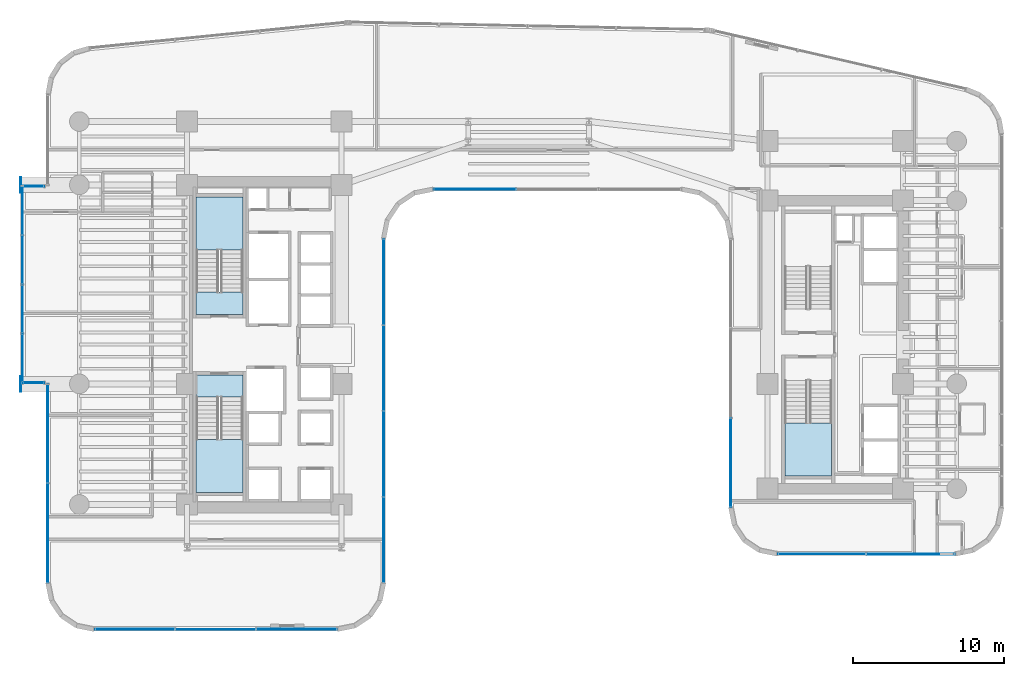
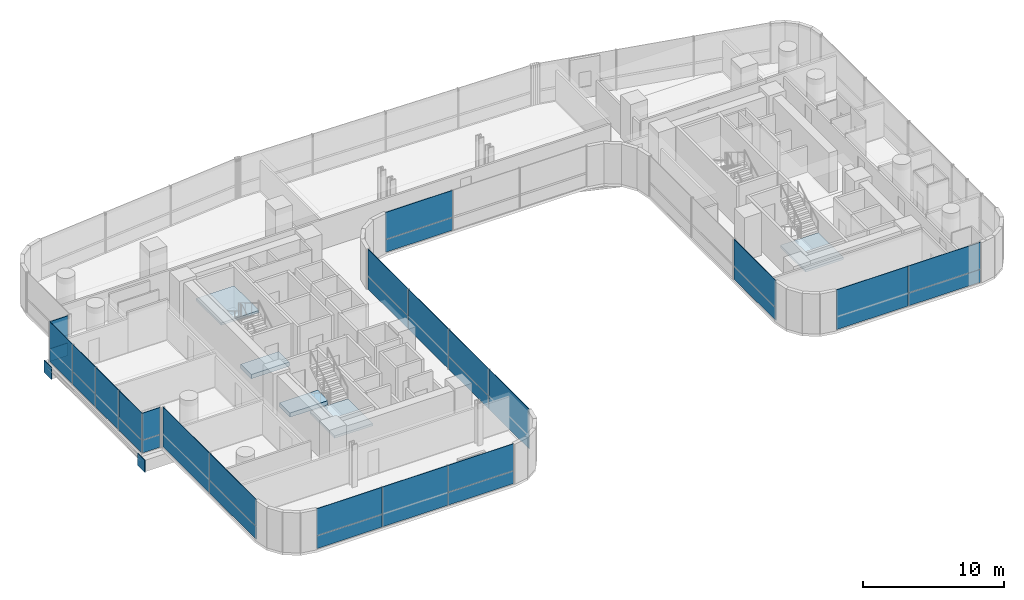
# One storey, part 27 of 39: 33 plates, 5 slabs, 12 elements without a shape of their own.
"""IFC4 building model written with IfcOpenShell, lengths in metres."""

from ifc_helpers import new_model, si_unit, direction, frame, origin, origin_2d, place, context, subcontext, project, spatial, polyline, rectangle, outline, extrude, source, transform, mapped, material, layer, layer_set, type_object, element, aggregate, save


model = new_model("IFC4")

# Units and contexts
model_context = context("Model", 3, precision=1e-05, world=origin(), true_north=direction((0.0, 1.0)))
body_context = subcontext(model_context, "Body", "Model", "MODEL_VIEW")
ifc_project = project(units=[si_unit("LENGTHUNIT", "METRE"), si_unit("AREAUNIT", "SQUARE_METRE"), si_unit("VOLUMEUNIT", "CUBIC_METRE"), si_unit("PLANEANGLEUNIT", "RADIAN"), si_unit("MASSUNIT", "GRAM", prefix="KILO")], contexts=[model_context])

# Site, building, storey
site_placement = place(None, origin())
site = spatial("IfcSite", under=ifc_project, at=site_placement, CompositionType="ELEMENT")
building_placement = place(site_placement, origin())
building = spatial("IfcBuilding", under=site, at=building_placement, Name="Valdorenza Pilgrim Sanctuary Tower", CompositionType="ELEMENT")
storey_placement = place(building_placement, frame((0.0, 0.0, 74.10009765625)))
storey = spatial("IfcBuildingStorey", under=building, at=storey_placement, Name="L18", CompositionType="ELEMENT", Elevation=74.10009765625)

# Stair, slab
ifc_material_1 = material(Name="Concrete C40/50", Category="concrete")
stair_type = type_object("IfcStairType", Name="STR-DOG-CORE", PredefinedType="HALF_TURN_STAIR", material=ifc_material_1)
stair_1_placement = place(storey_placement, origin())
stair_1 = element("IfcStair", 1, at=stair_1_placement, inside=storey, type_object=stair_type, Name="L18 ST-A1", PredefinedType="HALF_TURN_STAIR")
ifc_layer_1 = layer(ifc_material_1, 0.199951171875, Name="Concrete C40/50")
ifc_layer_set_1 = layer_set([ifc_layer_1], Name="Concrete C40/50")
slab_type_1 = type_object("IfcSlabType", Name="SLAB-STL-200", PredefinedType="LANDING", material=ifc_layer_set_1)
slab_1_placement = place(storey_placement, frame((0.0, 0.0, 1.64990234375)))
slab_1 = element("IfcSlab", 2, at=slab_1_placement, type_object=slab_type_1, Name="ST-A1 landing 1", PredefinedType="LANDING", context=body_context, shape_type="SweptSolid", body=[
    extrude(outline(polyline([(-18.93994140625, 6.280029296875), (-18.93994140625, 9.800048828125), (-22.050048828125, 9.800048828125), (-22.050048828125, 6.280029296875), (-18.93994140625, 6.280029296875)])), origin(), (0.0, 0.0, 1.0), 0.199951171875),
])
aggregate(stair_1, [slab_1])

stair_2_placement = place(storey_placement, origin())
stair_2 = element("IfcStair", 3, at=stair_2_placement, inside=storey, type_object=stair_type, Name="L18 ST-A2", PredefinedType="HALF_TURN_STAIR")
slab_2_placement = place(storey_placement, frame((0.0, 0.0, 1.64990234375)))
slab_2 = element("IfcSlab", 4, at=slab_2_placement, type_object=slab_type_1, Name="ST-A2 landing 1", PredefinedType="LANDING", context=body_context, shape_type="SweptSolid", body=[
    extrude(outline(polyline([(-22.050048828125, -6.280029296875), (-22.050048828125, -9.800048828125), (-18.93994140625, -9.800048828125), (-18.93994140625, -6.280029296875), (-22.050048828125, -6.280029296875)])), origin(), (0.0, 0.0, 1.0), 0.199951171875),
])
aggregate(stair_2, [slab_2])

stair_3_placement = place(storey_placement, origin())
stair_3 = element("IfcStair", 5, at=stair_3_placement, inside=storey, type_object=stair_type, Name="L18 ST-B2", PredefinedType="HALF_TURN_STAIR")
slab_3_placement = place(storey_placement, frame((0.0, 0.0, 1.64990234375)))
slab_3 = element("IfcSlab", 6, at=slab_3_placement, type_object=slab_type_1, Name="ST-B2 landing 1", PredefinedType="LANDING", context=body_context, shape_type="SweptSolid", body=[
    extrude(outline(polyline([(17.0, -5.179931640625), (17.0, -8.699951171875), (20.110107421875, -8.699951171875), (20.110107421875, -5.179931640625), (17.0, -5.179931640625)])), origin(), (0.0, 0.0, 1.0), 0.199951171875),
])
aggregate(stair_3, [slab_3])

# Slabs
ifc_material_2 = material(Name="Concrete C50/60", Category="concrete")
ifc_layer_2 = layer(ifc_material_2, 0.39990234375, Name="Concrete C50/60")
ifc_layer_set_2 = layer_set([ifc_layer_2], Name="Concrete C50/60")
slab_type_2 = type_object("IfcSlabType", Name="SLAB-TRF-400", PredefinedType="FLOOR", material=ifc_layer_set_2)
slab_4_placement = place(storey_placement, frame((0.0, 0.0, -0.360107421875)))
element("IfcSlab", 7, at=slab_4_placement, inside=storey, type_object=slab_type_2, Name="L18 ST-A1 Structural Stair Landing Bearing Slab", PredefinedType="FLOOR", context=body_context, shape_type="SweptSolid", body=[
    extrude(outline(polyline([(-22.050048828125, 2.0), (-18.93994140625, 2.0), (-18.93994140625, 3.485107421875), (-22.050048828125, 3.485107421875), (-22.050048828125, 2.0)])), origin(), (0.0, 0.0, 1.0), 0.360107421875),
])
slab_5_placement = place(storey_placement, frame((0.0, 0.0, -0.360107421875)))
element("IfcSlab", 8, at=slab_5_placement, inside=storey, type_object=slab_type_2, Name="L18 ST-A2 Structural Stair Landing Bearing Slab", PredefinedType="FLOOR", context=body_context, shape_type="SweptSolid", body=[
    extrude(outline(polyline([(-22.050048828125, -3.485107421875), (-18.93994140625, -3.485107421875), (-18.93994140625, -2.0), (-22.050048828125, -2.0), (-22.050048828125, -3.485107421875)])), origin(), (0.0, 0.0, 1.0), 0.360107421875),
])

# Plates
ifc_material_3 = material(Name="Steel ASTM A572 Grade 42", Category="steel")
ifc_layer_3 = layer(ifc_material_3, 0.06005859375, Name="Steel ASTM A572 Grade 42")
ifc_layer_set_3 = layer_set([ifc_layer_3], Name="Steel ASTM A572 Grade 42")
plate_type_1 = type_object("IfcPlateType", Name="PLT-CAP-60", PredefinedType="SHEET", material=ifc_layer_set_3)
shared_shape_1 = source(origin(), body_context, "Body", "SweptSolid", [
    extrude(rectangle(XDim=0.06005859375, YDim=1.0400390625, at=origin_2d()), origin(), (0.0, 0.0, 1.0), 1.0400390625),
])
for number, where, z_axis, x_axis, name in (
    (9, (-33.679931640625, 10.60009765625, -1.260009765625), (0.0, 0.0, 1.0), (1.0, 0.0, 0.0), "L18 BOX-WA-L18 Cantilever Tip End Cap N"),
    (10, (-33.679931640625, -2.60009765625, -1.260009765625), (0.0, 0.0, 1.0), (1.0, 0.0, 0.0), "L18 BOX-WA-L18 Cantilever Tip End Cap S"),
):
    element("IfcPlate", number, at=place(storey_placement, frame(where, z_axis=z_axis, x_axis=x_axis)), inside=storey, type_object=plate_type_1, Name=name, PredefinedType="SHEET", context=body_context, shape_type="MappedRepresentation", body=[
        mapped(shared_shape_1, transform((0.0, 0.0, 0.0), x_axis=(1.0, 0.0, 0.0), y_axis=(0.0, 1.0, 0.0), z_axis=(0.0, 0.0, 1.0), scale=1.0)),
    ])

# Curtain wall, plates
ifc_material_4 = material(Name="Curtain-wall IGU glazing", Category="glass")
curtain_wall_type_1 = type_object("IfcCurtainWallType", Name="CW-SYS-03", PredefinedType="NOTDEFINED", material=ifc_material_4)
curtain_wall_1_placement = place(storey_placement, origin())
curtain_wall_1 = element("IfcCurtainWall", 11, at=curtain_wall_1_placement, inside=storey, type_object=curtain_wall_type_1, Name="L18 Curtain Wall CW-L18-1-26", PredefinedType="NOTDEFINED")
ifc_material_5 = material(Name="Honed travertine limestone", Category="masonry")
ifc_layer_4 = layer(ifc_material_5, 0.050048828125, Name="Honed travertine limestone")
ifc_layer_set_4 = layer_set([ifc_layer_4], Name="Honed travertine limestone")
plate_type_2 = type_object("IfcPlateType", Name="CW-SPN-TRV", PredefinedType="USERDEFINED", material=ifc_layer_set_4)
shared_shape_2 = source(origin(), body_context, "Body", "SweptSolid", [
    extrude(rectangle(XDim=5.869140625, YDim=0.06005859375, at=origin_2d()), origin(), (0.0, 0.0, 1.0), 1.10009765625),
])
plate_1_placement = place(storey_placement, frame((25.344482421875, -13.889892578125, 0.009765625), z_axis=(0.0, 0.0, 1.0), x_axis=(-1.0, 0.0, 0.0)))
plate_1 = element("IfcPlate", 12, at=plate_1_placement, type_object=plate_type_2, Name="CW-L18-1-26 Travertine Spandrel 1", ObjectType="SPANDREL", PredefinedType="USERDEFINED", context=body_context, shape_type="MappedRepresentation", body=[
    mapped(shared_shape_2, transform((0.0, 0.0, 0.0), x_axis=(1.0, 0.0, 0.0), y_axis=(0.0, 1.0, 0.0), z_axis=(0.0, 0.0, 1.0), scale=1.0)),
])
ifc_material_6 = material(Name="Ceramic-fritted low-E IGU glazing", Category="glass")
ifc_layer_5 = layer(ifc_material_6, 0.035888671875, Name="Ceramic-fritted low-E IGU glazing")
ifc_layer_set_5 = layer_set([ifc_layer_5], Name="Ceramic-fritted low-E IGU glazing")
plate_type_3 = type_object("IfcPlateType", Name="CW-GLZ-IGU", PredefinedType="USERDEFINED", material=ifc_layer_set_5)
shared_shape_3 = source(origin(), body_context, "Body", "SweptSolid", [
    extrude(rectangle(XDim=5.869140625, YDim=0.050048828125, at=origin_2d()), origin(), (0.0, 0.0, 1.0), 2.320068359375),
])
plate_2_placement = place(storey_placement, frame((25.344482421875, -13.889892578125, 1.1298828125), z_axis=(0.0, 0.0, 1.0), x_axis=(-1.0, 0.0, 0.0)))
plate_2 = element("IfcPlate", 13, at=plate_2_placement, type_object=plate_type_3, Name="CW-L18-1-26 Facade Panel 1", ObjectType="GLAZING", PredefinedType="USERDEFINED", context=body_context, shape_type="MappedRepresentation", body=[
    mapped(shared_shape_3, transform((0.0, 0.0, 0.0), x_axis=(1.0, 0.0, 0.0), y_axis=(0.0, 1.0, 0.0), z_axis=(0.0, 0.0, 1.0), scale=1.0)),
])
shared_shape_4 = source(origin(), body_context, "Body", "SweptSolid", [
    extrude(rectangle(XDim=5.869140625, YDim=0.050048828125, at=origin_2d()), origin(), (0.0, 0.0, 1.0), 3.43994140625),
])
plate_3_placement = place(storey_placement, frame((19.455322265625, -13.889892578125, 0.010009765625), z_axis=(0.0, 0.0, 1.0), x_axis=(-1.0, 0.0, 0.0)))
plate_3 = element("IfcPlate", 14, at=plate_3_placement, type_object=plate_type_3, Name="CW-L18-1-26 Full-Height Facade Panel 2", ObjectType="GLAZING", PredefinedType="USERDEFINED", context=body_context, shape_type="MappedRepresentation", body=[
    mapped(shared_shape_4, transform((0.0, 0.0, 0.0), x_axis=(1.0, 0.0, 0.0), y_axis=(0.0, 1.0, 0.0), z_axis=(0.0, 0.0, 1.0), scale=1.0)),
])
aggregate(curtain_wall_1, [plate_1, plate_2, plate_3])

curtain_wall_2_placement = place(storey_placement, origin())
curtain_wall_2 = element("IfcCurtainWall", 15, at=curtain_wall_2_placement, inside=storey, type_object=curtain_wall_type_1, Name="L18 Curtain Wall CW-L18-1-31", PredefinedType="NOTDEFINED")
shared_shape_5 = source(origin(), body_context, "Body", "SweptSolid", [
    extrude(rectangle(XDim=5.913330078125, YDim=0.06005859375, at=origin_2d()), origin(), (0.0, 0.0, 1.0), 1.10009765625),
])
plate_4_placement = place(storey_placement, frame((13.409912109375, -7.822509765625, 0.009765625), z_axis=(0.0, 0.0, 1.0), x_axis=(0.0, 1.0, 0.0)))
plate_4 = element("IfcPlate", 16, at=plate_4_placement, type_object=plate_type_2, Name="CW-L18-1-31 Travertine Spandrel 1", ObjectType="SPANDREL", PredefinedType="USERDEFINED", context=body_context, shape_type="MappedRepresentation", body=[
    mapped(shared_shape_5, transform((0.0, 0.0, 0.0), x_axis=(1.0, 0.0, 0.0), y_axis=(0.0, 1.0, 0.0), z_axis=(0.0, 0.0, 1.0), scale=1.0)),
])
shared_shape_6 = source(origin(), body_context, "Body", "SweptSolid", [
    extrude(rectangle(XDim=5.913330078125, YDim=0.050048828125, at=origin_2d()), origin(), (0.0, 0.0, 1.0), 2.320068359375),
])
plate_5_placement = place(storey_placement, frame((13.409912109375, -7.822509765625, 1.1298828125), z_axis=(0.0, 0.0, 1.0), x_axis=(0.0, 1.0, 0.0)))
plate_5 = element("IfcPlate", 17, at=plate_5_placement, type_object=plate_type_3, Name="CW-L18-1-31 Facade Panel 1", ObjectType="GLAZING", PredefinedType="USERDEFINED", context=body_context, shape_type="MappedRepresentation", body=[
    mapped(shared_shape_6, transform((0.0, 0.0, 0.0), x_axis=(1.0, 0.0, 0.0), y_axis=(0.0, 1.0, 0.0), z_axis=(0.0, 0.0, 1.0), scale=1.0)),
])
aggregate(curtain_wall_2, [plate_4, plate_5])

curtain_wall_type_2 = type_object("IfcCurtainWallType", Name="CW-SYS-02", PredefinedType="NOTDEFINED", material=ifc_material_4)
curtain_wall_3_placement = place(storey_placement, origin())
curtain_wall_3 = element("IfcCurtainWall", 18, at=curtain_wall_3_placement, inside=storey, type_object=curtain_wall_type_2, Name="L18 Curtain Wall CW-L18-1-36", PredefinedType="NOTDEFINED")
shared_shape_7 = source(origin(), body_context, "Body", "SweptSolid", [
    extrude(rectangle(XDim=5.453857421875, YDim=0.06005859375, at=origin_2d()), origin(), (0.0, 0.0, 1.0), 1.10009765625),
])
plate_6_placement = place(storey_placement, frame((-3.573974609375, 10.31005859375, 0.009765625), z_axis=(0.0, 0.0, 1.0), x_axis=(-1.0, 0.0, 0.0)))
plate_6 = element("IfcPlate", 19, at=plate_6_placement, type_object=plate_type_2, Name="CW-L18-1-36 Travertine Spandrel 3", ObjectType="SPANDREL", PredefinedType="USERDEFINED", context=body_context, shape_type="MappedRepresentation", body=[
    mapped(shared_shape_7, transform((0.0, 0.0, 0.0), x_axis=(1.0, 0.0, 0.0), y_axis=(0.0, 1.0, 0.0), z_axis=(0.0, 0.0, 1.0), scale=1.0)),
])
shared_shape_8 = source(origin(), body_context, "Body", "SweptSolid", [
    extrude(rectangle(XDim=5.453857421875, YDim=0.050048828125, at=origin_2d()), origin(), (0.0, 0.0, 1.0), 2.320068359375),
])
plate_7_placement = place(storey_placement, frame((-3.573974609375, 10.31005859375, 1.1298828125), z_axis=(0.0, 0.0, 1.0), x_axis=(-1.0, 0.0, 0.0)))
plate_7 = element("IfcPlate", 20, at=plate_7_placement, type_object=plate_type_3, Name="CW-L18-1-36 Facade Panel 3", ObjectType="GLAZING", PredefinedType="USERDEFINED", context=body_context, shape_type="MappedRepresentation", body=[
    mapped(shared_shape_8, transform((0.0, 0.0, 0.0), x_axis=(1.0, 0.0, 0.0), y_axis=(0.0, 1.0, 0.0), z_axis=(0.0, 0.0, 1.0), scale=1.0)),
])
aggregate(curtain_wall_3, [plate_6, plate_7])

curtain_wall_4_placement = place(storey_placement, origin())
curtain_wall_4 = element("IfcCurtainWall", 21, at=curtain_wall_4_placement, inside=storey, type_object=curtain_wall_type_2, Name="L18 Curtain Wall CW-L18-1-41", PredefinedType="NOTDEFINED")
shared_shape_9 = source(origin(), body_context, "Body", "SweptSolid", [
    extrude(rectangle(XDim=5.679931640625, YDim=0.06005859375, at=origin_2d()), origin(), (0.0, 0.0, 1.0), 1.10009765625),
])
plate_8_placement = place(storey_placement, frame((-9.610107421875, 4.160888671875, 0.009765625), z_axis=(0.0, 0.0, 1.0), x_axis=(0.0, -1.0, 0.0)))
plate_8 = element("IfcPlate", 22, at=plate_8_placement, type_object=plate_type_2, Name="CW-L18-1-41 Travertine Spandrel 1", ObjectType="SPANDREL", PredefinedType="USERDEFINED", context=body_context, shape_type="MappedRepresentation", body=[
    mapped(shared_shape_9, transform((0.0, 0.0, 0.0), x_axis=(1.0, 0.0, 0.0), y_axis=(0.0, 1.0, 0.0), z_axis=(0.0, 0.0, 1.0), scale=1.0)),
])
plate_9_placement = place(storey_placement, frame((-9.610107421875, -7.2392578125, 0.009765625), z_axis=(0.0, 0.0, 1.0), x_axis=(0.0, -1.0, 0.0)))
plate_9 = element("IfcPlate", 23, at=plate_9_placement, type_object=plate_type_2, Name="CW-L18-1-41 Travertine Spandrel 3", ObjectType="SPANDREL", PredefinedType="USERDEFINED", context=body_context, shape_type="MappedRepresentation", body=[
    mapped(shared_shape_9, transform((0.0, 0.0, 0.0), x_axis=(1.0, 0.0, 0.0), y_axis=(0.0, 1.0, 0.0), z_axis=(0.0, 0.0, 1.0), scale=1.0)),
])
shared_shape_10 = source(origin(), body_context, "Body", "SweptSolid", [
    extrude(rectangle(XDim=5.679931640625, YDim=0.050048828125, at=origin_2d()), origin(), (0.0, 0.0, 1.0), 2.320068359375),
])
plate_10_placement = place(storey_placement, frame((-9.610107421875, 4.160888671875, 1.1298828125), z_axis=(0.0, 0.0, 1.0), x_axis=(0.0, -1.0, 0.0)))
plate_10 = element("IfcPlate", 24, at=plate_10_placement, type_object=plate_type_3, Name="CW-L18-1-41 Facade Panel 1", ObjectType="GLAZING", PredefinedType="USERDEFINED", context=body_context, shape_type="MappedRepresentation", body=[
    mapped(shared_shape_10, transform((0.0, 0.0, 0.0), x_axis=(1.0, 0.0, 0.0), y_axis=(0.0, 1.0, 0.0), z_axis=(0.0, 0.0, 1.0), scale=1.0)),
])
plate_11_placement = place(storey_placement, frame((-9.610107421875, -7.2392578125, 1.1298828125), z_axis=(0.0, 0.0, 1.0), x_axis=(0.0, -1.0, 0.0)))
plate_11 = element("IfcPlate", 25, at=plate_11_placement, type_object=plate_type_3, Name="CW-L18-1-41 Facade Panel 3", ObjectType="GLAZING", PredefinedType="USERDEFINED", context=body_context, shape_type="MappedRepresentation", body=[
    mapped(shared_shape_10, transform((0.0, 0.0, 0.0), x_axis=(1.0, 0.0, 0.0), y_axis=(0.0, 1.0, 0.0), z_axis=(0.0, 0.0, 1.0), scale=1.0)),
])
shared_shape_11 = source(origin(), body_context, "Body", "SweptSolid", [
    extrude(rectangle(XDim=5.679931640625, YDim=0.050048828125, at=origin_2d()), origin(), (0.0, 0.0, 1.0), 3.43994140625),
])
plate_12_placement = place(storey_placement, frame((-9.610107421875, -1.539306640625, 0.010009765625), z_axis=(0.0, 0.0, 1.0), x_axis=(0.0, -1.0, 0.0)))
plate_12 = element("IfcPlate", 26, at=plate_12_placement, type_object=plate_type_3, Name="CW-L18-1-41 Full-Height Facade Panel 2", ObjectType="GLAZING", PredefinedType="USERDEFINED", context=body_context, shape_type="MappedRepresentation", body=[
    mapped(shared_shape_11, transform((0.0, 0.0, 0.0), x_axis=(1.0, 0.0, 0.0), y_axis=(0.0, 1.0, 0.0), z_axis=(0.0, 0.0, 1.0), scale=1.0)),
])
plate_13_placement = place(storey_placement, frame((-9.610107421875, -12.939208984375, 0.010009765625), z_axis=(0.0, 0.0, 1.0), x_axis=(0.0, -1.0, 0.0)))
plate_13 = element("IfcPlate", 27, at=plate_13_placement, type_object=plate_type_3, Name="CW-L18-1-41 Full-Height Facade Panel 4", ObjectType="GLAZING", PredefinedType="USERDEFINED", context=body_context, shape_type="MappedRepresentation", body=[
    mapped(shared_shape_11, transform((0.0, 0.0, 0.0), x_axis=(1.0, 0.0, 0.0), y_axis=(0.0, 1.0, 0.0), z_axis=(0.0, 0.0, 1.0), scale=1.0)),
])
aggregate(curtain_wall_4, [plate_8, plate_10, plate_12, plate_9, plate_11, plate_13])

curtain_wall_5_placement = place(storey_placement, origin())
curtain_wall_5 = element("IfcCurtainWall", 28, at=curtain_wall_5_placement, inside=storey, type_object=curtain_wall_type_2, Name="L18 Curtain Wall CW-L18-1-46", PredefinedType="NOTDEFINED")
shared_shape_12 = source(origin(), body_context, "Body", "SweptSolid", [
    extrude(rectangle(XDim=5.339599609375, YDim=0.06005859375, at=origin_2d()), origin(), (0.0, 0.0, 1.0), 1.10009765625),
])
plate_14_placement = place(storey_placement, frame((-15.390380859375, -18.889892578125, 0.009765625), z_axis=(0.0, 0.0, 1.0), x_axis=(-1.0, 0.0, 0.0)))
plate_14 = element("IfcPlate", 29, at=plate_14_placement, type_object=plate_type_2, Name="CW-L18-1-46 Travertine Spandrel 1", ObjectType="SPANDREL", PredefinedType="USERDEFINED", context=body_context, shape_type="MappedRepresentation", body=[
    mapped(shared_shape_12, transform((0.0, 0.0, 0.0), x_axis=(1.0, 0.0, 0.0), y_axis=(0.0, 1.0, 0.0), z_axis=(0.0, 0.0, 1.0), scale=1.0)),
])
plate_15_placement = place(storey_placement, frame((-26.109619140625, -18.889892578125, 0.009765625), z_axis=(0.0, 0.0, 1.0), x_axis=(-1.0, 0.0, 0.0)))
plate_15 = element("IfcPlate", 30, at=plate_15_placement, type_object=plate_type_2, Name="CW-L18-1-46 Travertine Spandrel 3", ObjectType="SPANDREL", PredefinedType="USERDEFINED", context=body_context, shape_type="MappedRepresentation", body=[
    mapped(shared_shape_12, transform((0.0, 0.0, 0.0), x_axis=(1.0, 0.0, 0.0), y_axis=(0.0, 1.0, 0.0), z_axis=(0.0, 0.0, 1.0), scale=1.0)),
])
shared_shape_13 = source(origin(), body_context, "Body", "SweptSolid", [
    extrude(rectangle(XDim=5.339599609375, YDim=0.050048828125, at=origin_2d()), origin(), (0.0, 0.0, 1.0), 2.320068359375),
])
plate_16_placement = place(storey_placement, frame((-15.390380859375, -18.889892578125, 1.1298828125), z_axis=(0.0, 0.0, 1.0), x_axis=(-1.0, 0.0, 0.0)))
plate_16 = element("IfcPlate", 31, at=plate_16_placement, type_object=plate_type_3, Name="CW-L18-1-46 Facade Panel 1", ObjectType="GLAZING", PredefinedType="USERDEFINED", context=body_context, shape_type="MappedRepresentation", body=[
    mapped(shared_shape_13, transform((0.0, 0.0, 0.0), x_axis=(1.0, 0.0, 0.0), y_axis=(0.0, 1.0, 0.0), z_axis=(0.0, 0.0, 1.0), scale=1.0)),
])
plate_17_placement = place(storey_placement, frame((-26.109619140625, -18.889892578125, 1.1298828125), z_axis=(0.0, 0.0, 1.0), x_axis=(-1.0, 0.0, 0.0)))
plate_17 = element("IfcPlate", 32, at=plate_17_placement, type_object=plate_type_3, Name="CW-L18-1-46 Facade Panel 3", ObjectType="GLAZING", PredefinedType="USERDEFINED", context=body_context, shape_type="MappedRepresentation", body=[
    mapped(shared_shape_13, transform((0.0, 0.0, 0.0), x_axis=(1.0, 0.0, 0.0), y_axis=(0.0, 1.0, 0.0), z_axis=(0.0, 0.0, 1.0), scale=1.0)),
])
shared_shape_14 = source(origin(), body_context, "Body", "SweptSolid", [
    extrude(rectangle(XDim=5.339599609375, YDim=0.050048828125, at=origin_2d()), origin(), (0.0, 0.0, 1.0), 3.43994140625),
])
plate_18_placement = place(storey_placement, frame((-20.75, -18.889892578125, 0.010009765625), z_axis=(0.0, 0.0, 1.0), x_axis=(-1.0, 0.0, 0.0)))
plate_18 = element("IfcPlate", 33, at=plate_18_placement, type_object=plate_type_3, Name="CW-L18-1-46 Full-Height Facade Panel 2", ObjectType="GLAZING", PredefinedType="USERDEFINED", context=body_context, shape_type="MappedRepresentation", body=[
    mapped(shared_shape_14, transform((0.0, 0.0, 0.0), x_axis=(1.0, 0.0, 0.0), y_axis=(0.0, 1.0, 0.0), z_axis=(0.0, 0.0, 1.0), scale=1.0)),
])
aggregate(curtain_wall_5, [plate_14, plate_16, plate_18, plate_15, plate_17])

# Curtain wall, plate
curtain_wall_6_placement = place(storey_placement, origin())
curtain_wall_6 = element("IfcCurtainWall", 34, at=curtain_wall_6_placement, inside=storey, type_object=curtain_wall_type_2, Name="L18 Curtain Wall CW-L18-BOX-WA-L18-S", PredefinedType="NOTDEFINED")
shared_shape_15 = source(origin(), body_context, "Body", "SweptSolid", [
    extrude(rectangle(XDim=1.43994140625, YDim=0.06005859375, at=origin_2d()), origin(), (0.0, 0.0, 1.0), 1.10009765625),
])
plate_19_placement = place(storey_placement, frame((-32.840087890625, -2.52001953125, 0.009765625), z_axis=(0.0, 0.0, 1.0), x_axis=(-1.0, 0.0, 0.0)))
plate_19 = element("IfcPlate", 35, at=plate_19_placement, type_object=plate_type_2, Name="CW-L18-BOX-WA-L18-S Travertine Spandrel 1", ObjectType="SPANDREL", PredefinedType="USERDEFINED", context=body_context, shape_type="MappedRepresentation", body=[
    mapped(shared_shape_15, transform((0.0, 0.0, 0.0), x_axis=(1.0, 0.0, 0.0), y_axis=(0.0, 1.0, 0.0), z_axis=(0.0, 0.0, 1.0), scale=1.0)),
])

curtain_wall_7_placement = place(storey_placement, origin())
curtain_wall_7 = element("IfcCurtainWall", 36, at=curtain_wall_7_placement, inside=storey, type_object=curtain_wall_type_2, Name="L18 Curtain Wall CW-L18-BOX-WA-L18-N", PredefinedType="NOTDEFINED")
plate_20_placement = place(storey_placement, frame((-32.840087890625, 10.52001953125, 0.009765625), z_axis=(0.0, 0.0, 1.0), x_axis=(1.0, 0.0, 0.0)))
plate_20 = element("IfcPlate", 37, at=plate_20_placement, type_object=plate_type_2, Name="CW-L18-BOX-WA-L18-N Travertine Spandrel 1", ObjectType="SPANDREL", PredefinedType="USERDEFINED", context=body_context, shape_type="MappedRepresentation", body=[
    mapped(shared_shape_15, transform((0.0, 0.0, 0.0), x_axis=(1.0, 0.0, 0.0), y_axis=(0.0, 1.0, 0.0), z_axis=(0.0, 0.0, 1.0), scale=1.0)),
])

# Plate
shared_shape_16 = source(origin(), body_context, "Body", "SweptSolid", [
    extrude(rectangle(XDim=1.43994140625, YDim=0.050048828125, at=origin_2d()), origin(), (0.0, 0.0, 1.0), 2.320068359375),
])
plate_21_placement = place(storey_placement, frame((-32.840087890625, -2.52001953125, 1.1298828125), z_axis=(0.0, 0.0, 1.0), x_axis=(-1.0, 0.0, 0.0)))
plate_21 = element("IfcPlate", 38, at=plate_21_placement, type_object=plate_type_3, Name="CW-L18-BOX-WA-L18-S Facade Panel 1", ObjectType="GLAZING", PredefinedType="USERDEFINED", context=body_context, shape_type="MappedRepresentation", body=[
    mapped(shared_shape_16, transform((0.0, 0.0, 0.0), x_axis=(1.0, 0.0, 0.0), y_axis=(0.0, 1.0, 0.0), z_axis=(0.0, 0.0, 1.0), scale=1.0)),
])

aggregate(curtain_wall_6, [plate_19, plate_21])

plate_22_placement = place(storey_placement, frame((-32.840087890625, 10.52001953125, 1.1298828125), z_axis=(0.0, 0.0, 1.0), x_axis=(1.0, 0.0, 0.0)))
plate_22 = element("IfcPlate", 39, at=plate_22_placement, type_object=plate_type_3, Name="CW-L18-BOX-WA-L18-N Facade Panel 1", ObjectType="GLAZING", PredefinedType="USERDEFINED", context=body_context, shape_type="MappedRepresentation", body=[
    mapped(shared_shape_16, transform((0.0, 0.0, 0.0), x_axis=(1.0, 0.0, 0.0), y_axis=(0.0, 1.0, 0.0), z_axis=(0.0, 0.0, 1.0), scale=1.0)),
])

aggregate(curtain_wall_7, [plate_20, plate_22])

# Curtain wall, plates
curtain_wall_8_placement = place(storey_placement, origin())
curtain_wall_8 = element("IfcCurtainWall", 40, at=curtain_wall_8_placement, inside=storey, type_object=curtain_wall_type_2, Name="L18 Curtain Wall CW-L18-1-1S1", PredefinedType="NOTDEFINED")
shared_shape_17 = source(origin(), body_context, "Body", "SweptSolid", [
    extrude(rectangle(XDim=6.57470703125, YDim=0.06005859375, at=origin_2d()), origin(), (0.0, 0.0, 1.0), 1.10009765625),
])
plate_23_placement = place(storey_placement, frame((-31.889892578125, -12.491943359375, 0.009765625), z_axis=(0.0, 0.0, 1.0), x_axis=(0.0, 1.0, 0.0)))
plate_23 = element("IfcPlate", 41, at=plate_23_placement, type_object=plate_type_2, Name="CW-L18-1-1S1 Travertine Spandrel 1", ObjectType="SPANDREL", PredefinedType="USERDEFINED", context=body_context, shape_type="MappedRepresentation", body=[
    mapped(shared_shape_17, transform((0.0, 0.0, 0.0), x_axis=(1.0, 0.0, 0.0), y_axis=(0.0, 1.0, 0.0), z_axis=(0.0, 0.0, 1.0), scale=1.0)),
])
shared_shape_18 = source(origin(), body_context, "Body", "SweptSolid", [
    extrude(rectangle(XDim=6.57470703125, YDim=0.050048828125, at=origin_2d()), origin(), (0.0, 0.0, 1.0), 2.320068359375),
])
plate_24_placement = place(storey_placement, frame((-31.889892578125, -12.491943359375, 1.1298828125), z_axis=(0.0, 0.0, 1.0), x_axis=(0.0, 1.0, 0.0)))
plate_24 = element("IfcPlate", 42, at=plate_24_placement, type_object=plate_type_3, Name="CW-L18-1-1S1 Facade Panel 1", ObjectType="GLAZING", PredefinedType="USERDEFINED", context=body_context, shape_type="MappedRepresentation", body=[
    mapped(shared_shape_18, transform((0.0, 0.0, 0.0), x_axis=(1.0, 0.0, 0.0), y_axis=(0.0, 1.0, 0.0), z_axis=(0.0, 0.0, 1.0), scale=1.0)),
])
shared_shape_19 = source(origin(), body_context, "Body", "SweptSolid", [
    extrude(rectangle(XDim=6.57470703125, YDim=0.050048828125, at=origin_2d()), origin(), (0.0, 0.0, 1.0), 3.43994140625),
])
plate_25_placement = place(storey_placement, frame((-31.889892578125, -5.897216796875, 0.010009765625), z_axis=(0.0, 0.0, 1.0), x_axis=(0.0, 1.0, 0.0)))
plate_25 = element("IfcPlate", 43, at=plate_25_placement, type_object=plate_type_3, Name="CW-L18-1-1S1 Full-Height Facade Panel 2", ObjectType="GLAZING", PredefinedType="USERDEFINED", context=body_context, shape_type="MappedRepresentation", body=[
    mapped(shared_shape_19, transform((0.0, 0.0, 0.0), x_axis=(1.0, 0.0, 0.0), y_axis=(0.0, 1.0, 0.0), z_axis=(0.0, 0.0, 1.0), scale=1.0)),
])
aggregate(curtain_wall_8, [plate_23, plate_24, plate_25])

curtain_wall_9_placement = place(storey_placement, origin())
curtain_wall_9 = element("IfcCurtainWall", 44, at=curtain_wall_9_placement, inside=storey, type_object=curtain_wall_type_2, Name="L18 Curtain Wall CW-L18-BOX-WA-L18-F", PredefinedType="NOTDEFINED")
shared_shape_20 = source(origin(), body_context, "Body", "SweptSolid", [
    extrude(rectangle(XDim=3.239990234375, YDim=0.06005859375, at=origin_2d()), origin(), (0.0, 0.0, 1.0), 1.10009765625),
])
plate_26_placement = place(storey_placement, frame((-33.570068359375, -0.889892578125, 0.009765625), z_axis=(0.0, 0.0, 1.0), x_axis=(0.0, 1.0, 0.0)))
plate_26 = element("IfcPlate", 45, at=plate_26_placement, type_object=plate_type_2, Name="CW-L18-BOX-WA-L18-F Travertine Spandrel 1", ObjectType="SPANDREL", PredefinedType="USERDEFINED", context=body_context, shape_type="MappedRepresentation", body=[
    mapped(shared_shape_20, transform((0.0, 0.0, 0.0), x_axis=(1.0, 0.0, 0.0), y_axis=(0.0, 1.0, 0.0), z_axis=(0.0, 0.0, 1.0), scale=1.0)),
])
plate_27_placement = place(storey_placement, frame((-33.570068359375, 5.6298828125, 0.009765625), z_axis=(0.0, 0.0, 1.0), x_axis=(0.0, 1.0, 0.0)))
plate_27 = element("IfcPlate", 46, at=plate_27_placement, type_object=plate_type_2, Name="CW-L18-BOX-WA-L18-F Travertine Spandrel 3", ObjectType="SPANDREL", PredefinedType="USERDEFINED", context=body_context, shape_type="MappedRepresentation", body=[
    mapped(shared_shape_20, transform((0.0, 0.0, 0.0), x_axis=(1.0, 0.0, 0.0), y_axis=(0.0, 1.0, 0.0), z_axis=(0.0, 0.0, 1.0), scale=1.0)),
])
shared_shape_21 = source(origin(), body_context, "Body", "SweptSolid", [
    extrude(rectangle(XDim=3.239990234375, YDim=0.050048828125, at=origin_2d()), origin(), (0.0, 0.0, 1.0), 2.320068359375),
])
plate_28_placement = place(storey_placement, frame((-33.570068359375, -0.889892578125, 1.1298828125), z_axis=(0.0, 0.0, 1.0), x_axis=(0.0, 1.0, 0.0)))
plate_28 = element("IfcPlate", 47, at=plate_28_placement, type_object=plate_type_3, Name="CW-L18-BOX-WA-L18-F Facade Panel 1", ObjectType="GLAZING", PredefinedType="USERDEFINED", context=body_context, shape_type="MappedRepresentation", body=[
    mapped(shared_shape_21, transform((0.0, 0.0, 0.0), x_axis=(1.0, 0.0, 0.0), y_axis=(0.0, 1.0, 0.0), z_axis=(0.0, 0.0, 1.0), scale=1.0)),
])
plate_29_placement = place(storey_placement, frame((-33.570068359375, 5.6298828125, 1.1298828125), z_axis=(0.0, 0.0, 1.0), x_axis=(0.0, 1.0, 0.0)))
plate_29 = element("IfcPlate", 48, at=plate_29_placement, type_object=plate_type_3, Name="CW-L18-BOX-WA-L18-F Facade Panel 3", ObjectType="GLAZING", PredefinedType="USERDEFINED", context=body_context, shape_type="MappedRepresentation", body=[
    mapped(shared_shape_21, transform((0.0, 0.0, 0.0), x_axis=(1.0, 0.0, 0.0), y_axis=(0.0, 1.0, 0.0), z_axis=(0.0, 0.0, 1.0), scale=1.0)),
])
shared_shape_22 = source(origin(), body_context, "Body", "SweptSolid", [
    extrude(rectangle(XDim=3.239990234375, YDim=0.050048828125, at=origin_2d()), origin(), (0.0, 0.0, 1.0), 3.43994140625),
])
plate_30_placement = place(storey_placement, frame((-33.570068359375, 2.3701171875, 0.010009765625), z_axis=(0.0, 0.0, 1.0), x_axis=(0.0, 1.0, 0.0)))
plate_30 = element("IfcPlate", 49, at=plate_30_placement, type_object=plate_type_3, Name="CW-L18-BOX-WA-L18-F Full-Height Facade Panel 2", ObjectType="GLAZING", PredefinedType="USERDEFINED", context=body_context, shape_type="MappedRepresentation", body=[
    mapped(shared_shape_22, transform((0.0, 0.0, 0.0), x_axis=(1.0, 0.0, 0.0), y_axis=(0.0, 1.0, 0.0), z_axis=(0.0, 0.0, 1.0), scale=1.0)),
])
plate_31_placement = place(storey_placement, frame((-33.570068359375, 8.889892578125, 0.010009765625), z_axis=(0.0, 0.0, 1.0), x_axis=(0.0, 1.0, 0.0)))
plate_31 = element("IfcPlate", 50, at=plate_31_placement, type_object=plate_type_3, Name="CW-L18-BOX-WA-L18-F Full-Height Facade Panel 4", ObjectType="GLAZING", PredefinedType="USERDEFINED", context=body_context, shape_type="MappedRepresentation", body=[
    mapped(shared_shape_22, transform((0.0, 0.0, 0.0), x_axis=(1.0, 0.0, 0.0), y_axis=(0.0, 1.0, 0.0), z_axis=(0.0, 0.0, 1.0), scale=1.0)),
])
aggregate(curtain_wall_9, [plate_26, plate_28, plate_30, plate_27, plate_29, plate_31])

save(model, "model.ifc")
